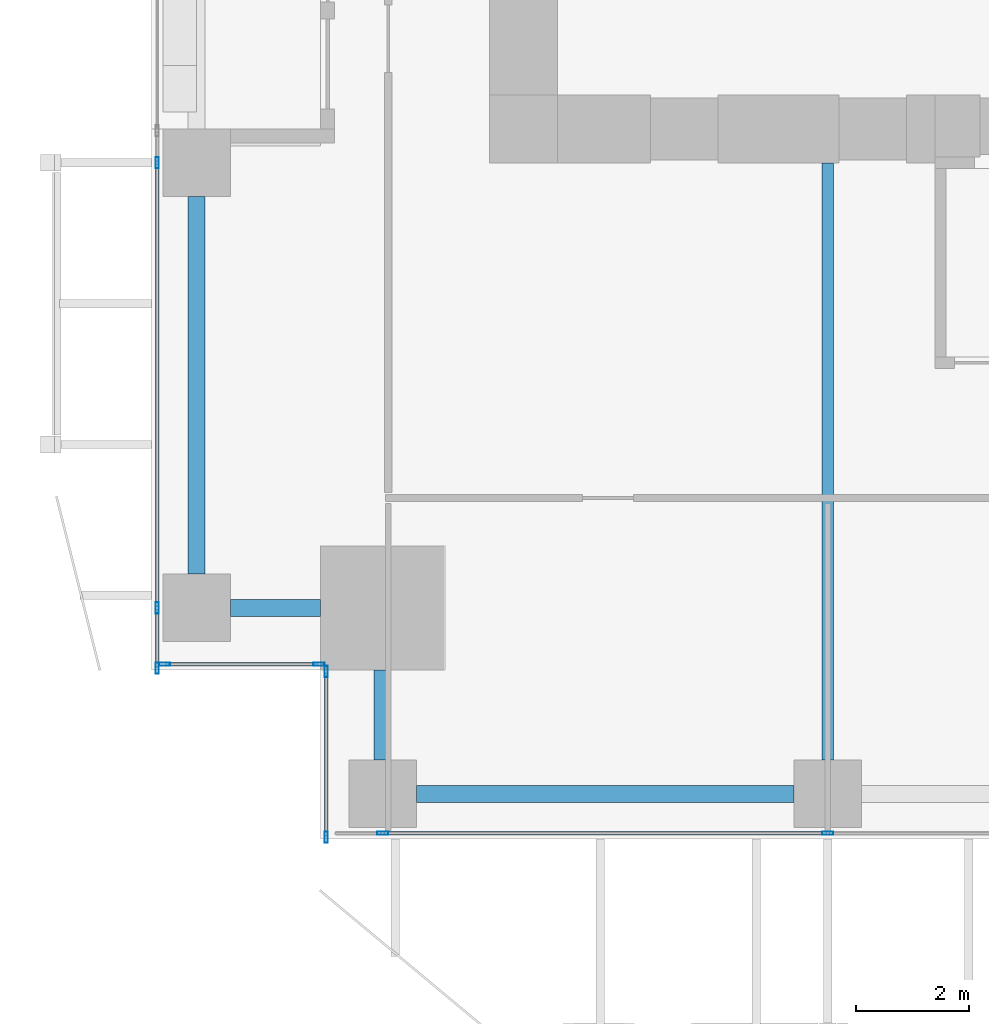
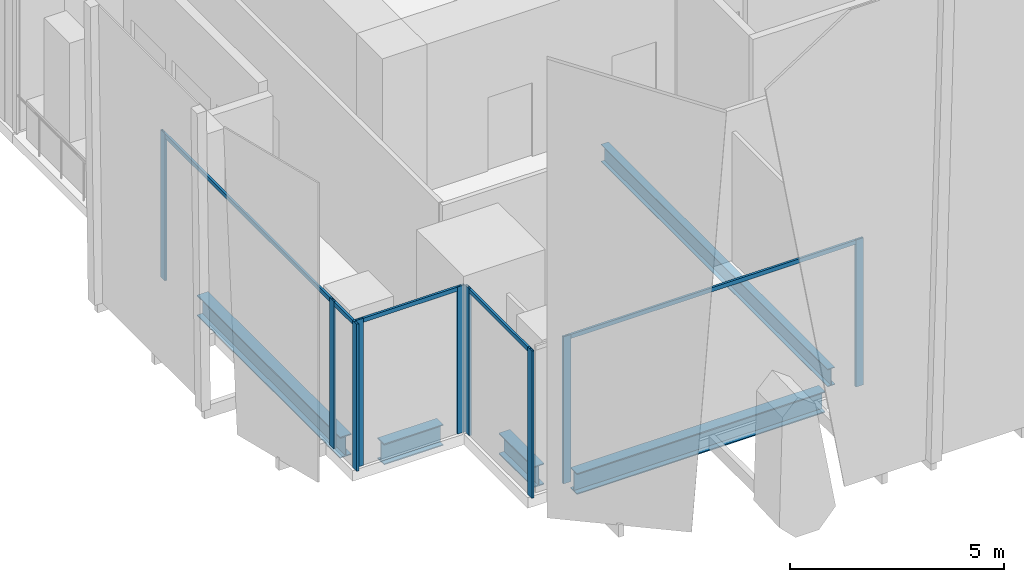
# One storey, part 2 of 35: 14 members, 5 beams, 4 elements without a shape of their own.
"""IFC4 building model written with IfcOpenShell, lengths in metres."""

from ifc_helpers import new_model, si_unit, direction, frame, origin, origin_2d, place, context, subcontext, project, spatial, hollow_rectangle, i_section, extrude, source, transform, mapped, material, material_profile, profile_set, type_object, element, aggregate, save


model = new_model("IFC4")

# Units and contexts
model_context = context("Model", 3, precision=1e-05, world=origin(), true_north=direction((0.0, 1.0)))
body_context = subcontext(model_context, "Body", "Model", "MODEL_VIEW")
ifc_project = project(units=[si_unit("LENGTHUNIT", "METRE"), si_unit("AREAUNIT", "SQUARE_METRE"), si_unit("VOLUMEUNIT", "CUBIC_METRE"), si_unit("PLANEANGLEUNIT", "RADIAN"), si_unit("MASSUNIT", "GRAM", prefix="KILO")], contexts=[model_context])

# Site, building, storey
site_placement = place(None, origin())
site = spatial("IfcSite", under=ifc_project, at=site_placement, CompositionType="ELEMENT")
building_placement = place(site_placement, origin())
building = spatial("IfcBuilding", under=site, at=building_placement, Name="Khomas Fold Tower", CompositionType="ELEMENT")
storey_placement = place(building_placement, frame((0.0, 0.0, 87.0)))
storey = spatial("IfcBuildingStorey", under=building, at=storey_placement, Name="L18", CompositionType="ELEMENT", Elevation=87.0)

# Beams
ifc_material_1 = material(Name="Steel S355", Category="steel")
ifc_material_profile_1 = material_profile(ifc_material_1, i_section(OverallWidth=0.199951171875, OverallDepth=0.5, WebThickness=0.01025390625, FlangeThickness=0.01611328125, at=origin_2d()), Name="IPE 500")
ifc_profile_set_1 = profile_set([ifc_material_profile_1], Name="Steel S355")
beam_type_1 = type_object("IfcBeamType", Name="IPE 500 beam JB5", PredefinedType="BEAM", material=ifc_profile_set_1)
shared_shape_1 = source(origin(), body_context, "Body", "SweptSolid", [
    extrude(i_section(OverallWidth=0.199951171875, OverallDepth=0.5, WebThickness=0.01025390625, FlangeThickness=0.01611328125, at=origin_2d()), origin(), (0.0, 0.0, 1.0), 10.60009765625),
])
beam_placement = place(storey_placement, frame((12.0, 1.39990234375, -0.550048828125), z_axis=(0.0, 1.0, 0.0), x_axis=(-1.0, 0.0, 0.0)))
element("IfcBeam", 1, at=beam_placement, inside=storey, type_object=beam_type_1, Name="JB5", PredefinedType="BEAM", context=body_context, shape_type="MappedRepresentation", body=[
    mapped(shared_shape_1, transform((0.0, 0.0, 0.0))),
])
ifc_material_2 = material(Name="Steel S355", Category="steel")
ifc_material_profile_2 = material_profile(ifc_material_2, i_section(OverallWidth=0.300048828125, OverallDepth=0.60009765625, WebThickness=0.015380859375, FlangeThickness=0.030029296875, at=origin_2d()), Name="HE 600 B")
ifc_profile_set_2 = profile_set([ifc_material_profile_2], Name="Steel S355")
beam_type_2 = type_object("IfcBeamType", Name="HE 600 B spandrel SB1", PredefinedType="SPANDREL", material=ifc_profile_set_2)
shared_shape_2 = source(origin(), body_context, "Body", "SweptSolid", [
    extrude(i_section(OverallWidth=0.300048828125, OverallDepth=0.60009765625, WebThickness=0.015380859375, FlangeThickness=0.030029296875, at=origin_2d()), origin(), (0.0, 0.0, 1.0), 6.699951171875),
])
for number, where, z_axis, x_axis, name in (
    (2, (4.699951171875, 0.800048828125, -0.60009765625), (1.0, 0.0, 0.0), (0.0, 1.0, 0.0), "SB1"),
    (3, (0.800048828125, 4.699951171875, -0.60009765625), (0.0, 1.0, 0.0), (-1.0, 0.0, 0.0), "SB1"),
):
    element("IfcBeam", number, at=place(storey_placement, frame(where, z_axis=z_axis, x_axis=x_axis)), inside=storey, type_object=beam_type_2, Name=name, PredefinedType="SPANDREL", context=body_context, shape_type="MappedRepresentation", body=[
        mapped(shared_shape_2, transform((0.0, 0.0, 0.0))),
    ])
shared_shape_3 = source(origin(), body_context, "Body", "SweptSolid", [
    extrude(i_section(OverallWidth=0.300048828125, OverallDepth=0.60009765625, WebThickness=0.015380859375, FlangeThickness=0.030029296875, at=origin_2d()), origin(), (0.0, 0.0, 1.0), 1.60009765625),
])
for number, where, z_axis, x_axis, name in (
    (4, (1.39990234375, 4.10009765625, -0.60009765625), (1.0, 0.0, 0.0), (0.0, 1.0, 0.0), "SB1"),
    (5, (4.10009765625, 1.39990234375, -0.60009765625), (0.0, 1.0, 0.0), (-1.0, 0.0, 0.0), "SB1"),
):
    element("IfcBeam", number, at=place(storey_placement, frame(where, z_axis=z_axis, x_axis=x_axis)), inside=storey, type_object=beam_type_2, Name=name, PredefinedType="SPANDREL", context=body_context, shape_type="MappedRepresentation", body=[
        mapped(shared_shape_3, transform((0.0, 0.0, 0.0))),
    ])

# Curtain wall, member
ifc_material_3 = material(Name="Aluminium framed double glazing", Category="aluminium")
curtain_wall_type = type_object("IfcCurtainWallType", Name="SK-Unitised clear-glass wall, growing floors CW1", PredefinedType="NOTDEFINED", material=ifc_material_3)
curtain_wall_1_placement = place(storey_placement, origin())
curtain_wall_1 = element("IfcCurtainWall", 6, at=curtain_wall_1_placement, inside=storey, type_object=curtain_wall_type, Name="CW1 run L18 00-0", PredefinedType="NOTDEFINED")
ifc_material_4 = material(Name="Aluminium", Category="aluminium")
ifc_material_profile_3 = material_profile(ifc_material_4, hollow_rectangle(XDim=0.06005859375, YDim=0.1201171875, WallThickness=0.00390625, at=origin_2d()), Name="SK-Unitised clear-glass wall, growing floors transom CW1-T")
ifc_profile_set_3 = profile_set([ifc_material_profile_3], Name="Aluminium")
member_type_1 = type_object("IfcMemberType", Name="SK-Unitised clear-glass wall, growing floors transom CW1-T", PredefinedType="USERDEFINED", material=ifc_profile_set_3)
shared_shape_4 = source(origin(), body_context, "Body", "SweptSolid", [
    extrude(hollow_rectangle(XDim=0.06005859375, YDim=0.1201171875, WallThickness=0.00390625, at=origin_2d()), origin(), (0.0, 0.0, 1.0), 7.840087890625),
])
member_1_placement = place(storey_placement, frame((4.1298828125, 0.10009765625, 4.139892578125), z_axis=(1.0, 0.0, 0.0), x_axis=(0.0, 1.0, 0.0)))
member_1 = element("IfcMember", 7, at=member_1_placement, type_object=member_type_1, Name="CW1 transom 2", ObjectType="TRANSOM", PredefinedType="USERDEFINED", context=body_context, shape_type="MappedRepresentation", body=[
    mapped(shared_shape_4, transform((0.0, 0.0, 0.0))),
])

# Curtain wall, members
curtain_wall_2_placement = place(storey_placement, origin())
curtain_wall_2 = element("IfcCurtainWall", 8, at=curtain_wall_2_placement, inside=storey, type_object=curtain_wall_type, Name="CW1 run L18 09-1", PredefinedType="NOTDEFINED")
member_2_placement = place(storey_placement, frame((0.10009765625, 11.969970703125, 4.139892578125), z_axis=(0.0, -1.0, 0.0), x_axis=(1.0, 0.0, 0.0)))
member_2 = element("IfcMember", 9, at=member_2_placement, type_object=member_type_1, Name="CW1 transom 2", ObjectType="TRANSOM", PredefinedType="USERDEFINED", context=body_context, shape_type="MappedRepresentation", body=[
    mapped(shared_shape_4, transform((0.0, 0.0, 0.0))),
])
shared_shape_5 = source(origin(), body_context, "Body", "SweptSolid", [
    extrude(hollow_rectangle(XDim=0.06005859375, YDim=0.1201171875, WallThickness=0.00390625, at=origin_2d()), origin(), (0.0, 0.0, 1.0), 1.010009765625),
])
member_3_placement = place(storey_placement, frame((0.10009765625, 4.070068359375, 4.139892578125), z_axis=(0.0, -1.0, 0.0), x_axis=(1.0, 0.0, 0.0)))
member_3 = element("IfcMember", 10, at=member_3_placement, type_object=member_type_1, Name="CW1 transom 3", ObjectType="TRANSOM", PredefinedType="USERDEFINED", context=body_context, shape_type="MappedRepresentation", body=[
    mapped(shared_shape_5, transform((0.0, 0.0, 0.0))),
])

# Curtain wall, member
curtain_wall_3_placement = place(storey_placement, origin())
curtain_wall_3 = element("IfcCurtainWall", 11, at=curtain_wall_3_placement, inside=storey, type_object=curtain_wall_type, Name="CW1 corner return L18 10", PredefinedType="NOTDEFINED")
shared_shape_6 = source(origin(), body_context, "Body", "SweptSolid", [
    extrude(hollow_rectangle(XDim=0.06005859375, YDim=0.1201171875, WallThickness=0.00390625, at=origin_2d()), origin(), (0.0, 0.0, 1.0), 2.679931640625),
])
member_4_placement = place(storey_placement, frame((0.260009765625, 3.10009765625, 4.139892578125), z_axis=(1.0, 0.0, 0.0), x_axis=(0.0, 1.0, 0.0)))
member_4 = element("IfcMember", 12, at=member_4_placement, type_object=member_type_1, Name="CW1 transom 1", ObjectType="TRANSOM", PredefinedType="USERDEFINED", context=body_context, shape_type="MappedRepresentation", body=[
    mapped(shared_shape_6, transform((0.0, 0.0, 0.0))),
])

curtain_wall_4_placement = place(storey_placement, origin())
curtain_wall_4 = element("IfcCurtainWall", 13, at=curtain_wall_4_placement, inside=storey, type_object=curtain_wall_type, Name="CW1 corner return L18 11", PredefinedType="NOTDEFINED")
shared_shape_7 = source(origin(), body_context, "Body", "SweptSolid", [
    extrude(hollow_rectangle(XDim=0.06005859375, YDim=0.1201171875, WallThickness=0.00390625, at=origin_2d()), origin(), (0.0, 0.0, 1.0), 2.8798828125),
])
member_5_placement = place(storey_placement, frame((3.10009765625, 2.93994140625, 4.139892578125), z_axis=(0.0, -1.0, 0.0), x_axis=(1.0, 0.0, 0.0)))
member_5 = element("IfcMember", 14, at=member_5_placement, type_object=member_type_1, Name="CW1 transom 1", ObjectType="TRANSOM", PredefinedType="USERDEFINED", context=body_context, shape_type="MappedRepresentation", body=[
    mapped(shared_shape_7, transform((0.0, 0.0, 0.0))),
])

# Member
ifc_material_5 = material(Name="Aluminium", Category="aluminium")
ifc_material_profile_4 = material_profile(ifc_material_5, hollow_rectangle(XDim=0.06005859375, YDim=0.199951171875, WallThickness=0.00390625, at=origin_2d()), Name="SK-Unitised clear-glass wall, growing floors mullion CW1-M")
ifc_profile_set_4 = profile_set([ifc_material_profile_4], Name="Aluminium")
member_type_2 = type_object("IfcMemberType", Name="SK-Unitised clear-glass wall, growing floors mullion CW1-M", PredefinedType="MULLION", material=ifc_profile_set_4)
shared_shape_8 = source(origin(), body_context, "Body", "SweptSolid", [
    extrude(hollow_rectangle(XDim=0.06005859375, YDim=0.199951171875, WallThickness=0.00390625, at=origin_2d()), origin(), (0.0, 0.0, 1.0), 4.199951171875),
])
member_6_placement = place(storey_placement, frame((4.10009765625, 0.10009765625, 0.0), z_axis=(0.0, 0.0, 1.0), x_axis=(0.0, 1.0, 0.0)))
member_6 = element("IfcMember", 15, at=member_6_placement, type_object=member_type_2, Name="CW1 mullion 2", PredefinedType="MULLION", context=body_context, shape_type="MappedRepresentation", body=[
    mapped(shared_shape_8, transform((0.0, 0.0, 0.0))),
])

member_7_placement = place(storey_placement, frame((12.0, 0.10009765625, 0.0), z_axis=(0.0, 0.0, 1.0), x_axis=(0.0, 1.0, 0.0)))
member_7 = element("IfcMember", 16, at=member_7_placement, type_object=member_type_2, Name="CW1 mullion 3", PredefinedType="MULLION", context=body_context, shape_type="MappedRepresentation", body=[
    mapped(shared_shape_8, transform((0.0, 0.0, 0.0))),
])

aggregate(curtain_wall_1, [member_6, member_7, member_1])

member_8_placement = place(storey_placement, frame((0.10009765625, 12.0, 0.0), z_axis=(0.0, 0.0, 1.0), x_axis=(1.0, 0.0, 0.0)))
member_8 = element("IfcMember", 17, at=member_8_placement, type_object=member_type_2, Name="CW1 mullion 2", PredefinedType="MULLION", context=body_context, shape_type="MappedRepresentation", body=[
    mapped(shared_shape_8, transform((0.0, 0.0, 0.0))),
])

member_9_placement = place(storey_placement, frame((0.10009765625, 4.10009765625, 0.0), z_axis=(0.0, 0.0, 1.0), x_axis=(1.0, 0.0, 0.0)))
member_9 = element("IfcMember", 18, at=member_9_placement, type_object=member_type_2, Name="CW1 mullion 3", PredefinedType="MULLION", context=body_context, shape_type="MappedRepresentation", body=[
    mapped(shared_shape_8, transform((0.0, 0.0, 0.0))),
])

member_10_placement = place(storey_placement, frame((0.10009765625, 3.030029296875, 0.0), z_axis=(0.0, 0.0, 1.0), x_axis=(1.0, 0.0, 0.0)))
member_10 = element("IfcMember", 19, at=member_10_placement, type_object=member_type_2, Name="CW1 mullion 4", PredefinedType="MULLION", context=body_context, shape_type="MappedRepresentation", body=[
    mapped(shared_shape_8, transform((0.0, 0.0, 0.0))),
])

aggregate(curtain_wall_2, [member_8, member_9, member_10, member_2, member_3])

member_11_placement = place(storey_placement, frame((0.22998046875, 3.10009765625, 0.0), z_axis=(0.0, 0.0, 1.0), x_axis=(0.0, 1.0, 0.0)))
member_11 = element("IfcMember", 20, at=member_11_placement, type_object=member_type_2, Name="CW1 mullion 1", PredefinedType="MULLION", context=body_context, shape_type="MappedRepresentation", body=[
    mapped(shared_shape_8, transform((0.0, 0.0, 0.0))),
])

member_12_placement = place(storey_placement, frame((2.969970703125, 3.10009765625, 0.0), z_axis=(0.0, 0.0, 1.0), x_axis=(0.0, 1.0, 0.0)))
member_12 = element("IfcMember", 21, at=member_12_placement, type_object=member_type_2, Name="CW1 mullion 2", PredefinedType="MULLION", context=body_context, shape_type="MappedRepresentation", body=[
    mapped(shared_shape_8, transform((0.0, 0.0, 0.0))),
])

aggregate(curtain_wall_3, [member_11, member_12, member_4])

member_13_placement = place(storey_placement, frame((3.10009765625, 2.969970703125, 0.0), z_axis=(0.0, 0.0, 1.0), x_axis=(1.0, 0.0, 0.0)))
member_13 = element("IfcMember", 22, at=member_13_placement, type_object=member_type_2, Name="CW1 mullion 1", PredefinedType="MULLION", context=body_context, shape_type="MappedRepresentation", body=[
    mapped(shared_shape_8, transform((0.0, 0.0, 0.0))),
])

member_14_placement = place(storey_placement, frame((3.10009765625, 0.030029296875, 0.0), z_axis=(0.0, 0.0, 1.0), x_axis=(1.0, 0.0, 0.0)))
member_14 = element("IfcMember", 23, at=member_14_placement, type_object=member_type_2, Name="CW1 mullion 2", PredefinedType="MULLION", context=body_context, shape_type="MappedRepresentation", body=[
    mapped(shared_shape_8, transform((0.0, 0.0, 0.0))),
])

aggregate(curtain_wall_4, [member_13, member_14, member_5])

save(model, "model.ifc")
